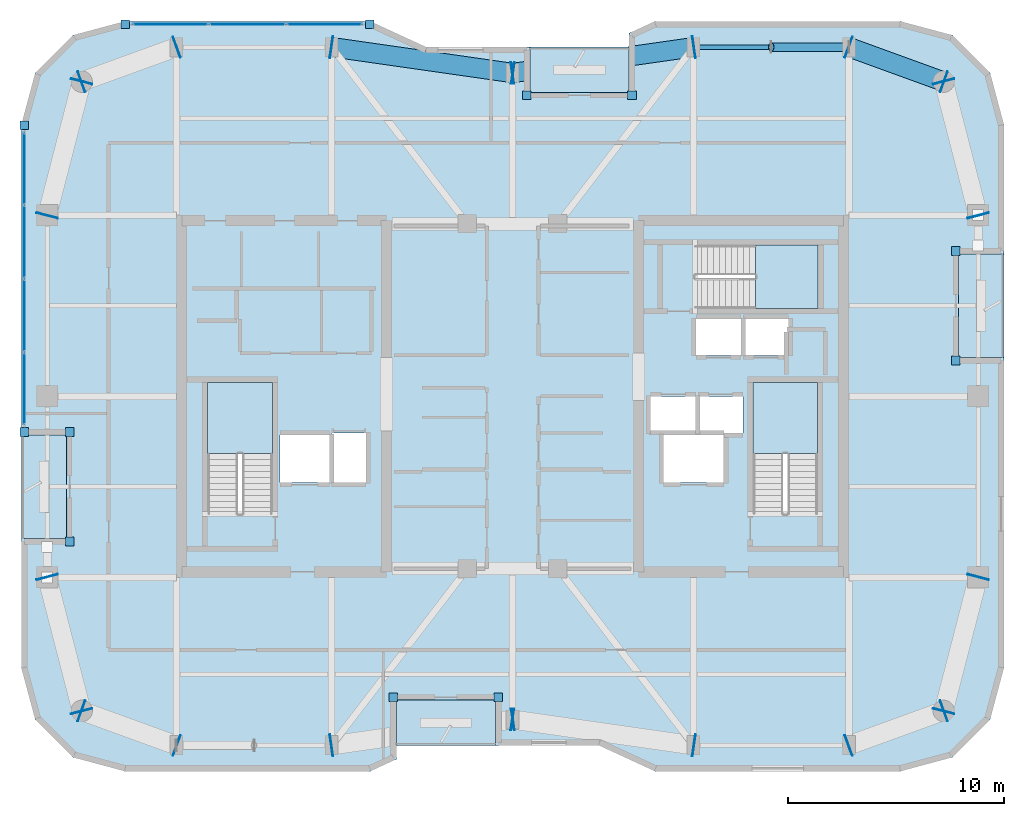
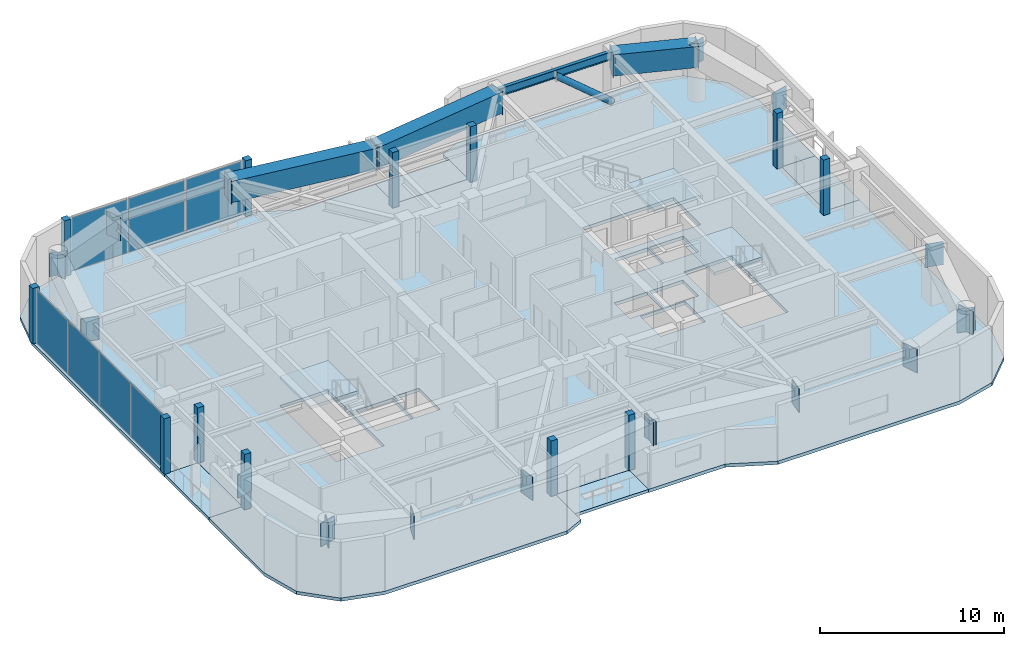
# One storey, part 7 of 15: 43 plates, 8 slabs, 4 beams, 1 member, 5 elements without a shape of their own.
"""IFC4 building model written with IfcOpenShell, lengths in metres."""

from ifc_helpers import new_model, si_unit, direction, frame, origin, origin_2d, place, context, subcontext, project, spatial, polyline, rectangle, hollow_rectangle, hollow_circle, i_section, outline, extrude, material, layer, layer_set, material_profile, profile_set, type_object, element, aggregate, save


model = new_model("IFC4")

# Units and contexts
model_context = context("Model", 3, precision=1e-05, world=origin(), true_north=direction((0.0, 1.0)))
body_context = subcontext(model_context, "Body", "Model", "MODEL_VIEW")
ifc_project = project(units=[si_unit("LENGTHUNIT", "METRE"), si_unit("AREAUNIT", "SQUARE_METRE"), si_unit("VOLUMEUNIT", "CUBIC_METRE"), si_unit("PLANEANGLEUNIT", "RADIAN"), si_unit("MASSUNIT", "GRAM", prefix="KILO")], contexts=[model_context])

# Site, building, storey
site_placement = place(None, origin())
site = spatial("IfcSite", under=ifc_project, at=site_placement, CompositionType="ELEMENT")
building_placement = place(site_placement, origin())
building = spatial("IfcBuilding", under=site, at=building_placement, Name="Kiyonajd Concourse Tower", CompositionType="ELEMENT")
storey_placement = place(building_placement, frame((0.0, 0.0, 290.10009765625)))
storey = spatial("IfcBuildingStorey", under=building, at=storey_placement, Name="L73", CompositionType="ELEMENT", Elevation=290.10009765625)

# Beams
ifc_material_1 = material(Name="Steel ASTM A992 Grade 50", Category="steel")
ifc_material_profile_1 = material_profile(ifc_material_1, i_section(OverallWidth=0.2109375, OverallDepth=0.5390625, WebThickness=0.01171875, FlangeThickness=0.018798828125, at=origin_2d()), Name="W530X109")
ifc_profile_set_1 = profile_set([ifc_material_profile_1], Name="Steel ASTM A992 Grade 50")
beam_type_1 = type_object("IfcBeamType", Name="BM-SPAN-530B", PredefinedType="SPANDREL", material=ifc_profile_set_1)
beam_1_placement = place(storey_placement, frame((63.60009765625, 52.199951171875, 3.410400390625), z_axis=(-1.0, 0.0, 0.0), x_axis=(0.0, -1.0, 0.0)))
element("IfcBeam", 1, at=beam_1_placement, inside=storey, type_object=beam_type_1, Name="L73 Perimeter Bundled Tube Spandrel", PredefinedType="SPANDREL", context=body_context, shape_type="SweptSolid", body=[
    extrude(i_section(OverallWidth=0.2109375, OverallDepth=0.5390625, WebThickness=0.01171875, FlangeThickness=0.018798828125, at=origin_2d()), origin(), (0.0, 0.0, 1.0), 7.2001953125),
])
ifc_material_2 = material(Name="Steel ASTM A572 Grade 50", Category="steel")
ifc_material_profile_2 = material_profile(ifc_material_2, hollow_rectangle(XDim=0.89990234375, YDim=1.39990234375, WallThickness=0.070068359375, at=origin_2d()), Name="BOX-1400x900x70")
ifc_profile_set_2 = profile_set([ifc_material_profile_2], Name="Steel ASTM A572 Grade 50")
beam_type_2 = type_object("IfcBeamType", Name="BM-XFER-1400", PredefinedType="BEAM", material=ifc_profile_set_2)
beam_2_placement = place(storey_placement, frame((68.0, 50.60009765625, 2.97998046875), z_axis=(-0.939801036019, 0.341722127901, 0.0), x_axis=(-0.341722127901, -0.939801036019, 0.0)))
element("IfcBeam", 2, at=beam_2_placement, inside=storey, type_object=beam_type_2, Name="L73 Perimeter Bundled Tube Spandrel", PredefinedType="BEAM", context=body_context, shape_type="SweptSolid", body=[
    extrude(hollow_rectangle(XDim=0.89990234375, YDim=1.39990234375, WallThickness=0.070068359375, at=origin_2d()), origin(), (0.0, 0.0, 1.0), 4.681640625),
])
for number, where, z_axis, x_axis, name in (
    (3, (56.39990234375, 52.199951171875, 2.97998046875), (-0.989950069105, -0.141417328072, 0.0), (0.141417328072, -0.989950069105, 0.0), "L73 Perimeter Bundled Tube Spandrel"),
    (4, (48.0, 51.0, 2.97998046875), (-0.989950069105, 0.141417328072, 0.0), (-0.141417328072, -0.989950069105, 0.0), "L73 Perimeter Bundled Tube Spandrel"),
):
    element("IfcBeam", number, at=place(storey_placement, frame(where, z_axis=z_axis, x_axis=x_axis)), inside=storey, type_object=beam_type_2, Name=name, PredefinedType="BEAM", context=body_context, shape_type="SweptSolid", body=[
        extrude(hollow_rectangle(XDim=0.89990234375, YDim=1.39990234375, WallThickness=0.070068359375, at=origin_2d()), origin(), (0.0, 0.0, 1.0), 8.485107421875),
    ])

# Member
ifc_material_3 = material(Name="Steel ASTM A500 Grade C", Category="steel")
ifc_material_profile_3 = material_profile(ifc_material_3, hollow_circle(Radius=0.202880859375, WallThickness=0.01904296875, at=origin_2d()), Name="CHS-406x19")
ifc_profile_set_3 = profile_set([ifc_material_profile_3], Name="Steel ASTM A500 Grade C")
member_type = type_object("IfcMemberType", Name="MB-PB-HIGH", PredefinedType="BRACE", material=ifc_profile_set_3)
member_placement = place(storey_placement, frame((63.60009765625, 52.199951171875, 0.2998046875), z_axis=(-0.765082043761, 0.0, 0.643932811957), x_axis=(0.0, -1.0, 0.0)))
element("IfcMember", 5, at=member_placement, inside=storey, type_object=member_type, Name="L73 Upper Zone Hollow Tube Brace PBN", PredefinedType="BRACE", context=body_context, shape_type="SweptSolid", body=[
    extrude(hollow_circle(Radius=0.202880859375, WallThickness=0.01904296875, at=origin_2d()), origin(), (0.0, 0.0, 1.0), 4.70556640625),
])

# Plates
ifc_layer_1 = layer(ifc_material_2, 0.031982421875)
ifc_layer_set_1 = layer_set([ifc_layer_1], Name="Steel ASTM A572 Grade 50")
plate_type_1 = type_object("IfcPlateType", Name="PL-CAP-540", PredefinedType="USERDEFINED", material=ifc_layer_set_1)
for number, where, z_axis, x_axis, name in (
    (6, (26.397216796875, 27.610595703125, 2.2099609375), (0.0, 0.0, 1.0), (-0.249873048837, 0.968278606324, 0.0), "L73 Welded Box Girder End Cap"),
    (7, (28.002685546875, 21.389404296875, 2.2099609375), (0.0, 0.0, 1.0), (0.249873048837, -0.968278606324, 0.0), "L73 Welded Box Girder End Cap"),
    (8, (27.98974609375, 21.40380859375, 2.2099609375), (0.0, 0.0, 1.0), (-0.939811951086, 0.341692107891, 0.0), "L73 Welded Box Girder End Cap"),
    (9, (32.410400390625, 19.796142578125, 2.2099609375), (0.0, 0.0, 1.0), (0.939811951086, -0.341692107891, 0.0), "L73 Welded Box Girder End Cap"),
    (10, (39.589111328125, 19.79833984375, 2.2099609375), (0.0, 0.0, 1.0), (-0.989949746297, -0.141419587774, 0.0), "L73 Welded Box Girder End Cap"),
    (11, (48.010986328125, 21.001708984375, 2.2099609375), (0.0, 0.0, 1.0), (0.989949746297, 0.141419587774, 0.0), "L73 Welded Box Girder End Cap"),
    (12, (47.989013671875, 21.001708984375, 2.2099609375), (0.0, 0.0, 1.0), (-0.989949746297, 0.141419587774, 0.0), "L73 Welded Box Girder End Cap"),
    (13, (56.410888671875, 19.79833984375, 2.2099609375), (0.0, 0.0, 1.0), (0.989949746297, -0.141419587774, 0.0), "L73 Welded Box Girder End Cap"),
    (14, (63.589599609375, 19.796142578125, 2.2099609375), (0.0, 0.0, 1.0), (-0.939811951086, -0.341692107891, 0.0), "L73 Welded Box Girder End Cap"),
    (15, (68.01025390625, 21.40380859375, 2.2099609375), (0.0, 0.0, 1.0), (0.939811951086, 0.341692107891, 0.0), "L73 Welded Box Girder End Cap"),
    (16, (67.997314453125, 21.389404296875, 2.2099609375), (0.0, 0.0, 1.0), (-0.249873048837, -0.968278606324, 0.0), "L73 Welded Box Girder End Cap"),
    (17, (69.602783203125, 27.610595703125, 2.2099609375), (0.0, 0.0, 1.0), (0.249873048837, 0.968278606324, 0.0), "L73 Welded Box Girder End Cap"),
    (18, (69.602783203125, 44.389404296875, 2.2099609375), (0.0, 0.0, 1.0), (0.249873048837, -0.968278606324, 0.0), "L73 Welded Box Girder End Cap"),
    (19, (67.997314453125, 50.610595703125, 2.2099609375), (0.0, 0.0, 1.0), (-0.249873048837, 0.968278606324, 0.0), "L73 Welded Box Girder End Cap"),
    (20, (68.01025390625, 50.59619140625, 2.2099609375), (0.0, 0.0, 1.0), (0.939811951086, -0.341692107891, 0.0), "L73 Welded Box Girder End Cap"),
    (21, (63.589599609375, 52.203857421875, 2.2099609375), (0.0, 0.0, 1.0), (-0.939811951086, 0.341692107891, 0.0), "L73 Welded Box Girder End Cap"),
    (22, (56.410888671875, 52.20166015625, 2.2099609375), (0.0, 0.0, 1.0), (0.989949746297, 0.141419587774, 0.0), "L73 Welded Box Girder End Cap"),
    (23, (47.989013671875, 50.998291015625, 2.2099609375), (0.0, 0.0, 1.0), (-0.989949746297, -0.141419587774, 0.0), "L73 Welded Box Girder End Cap"),
    (24, (48.010986328125, 50.998291015625, 2.2099609375), (0.0, 0.0, 1.0), (0.989949746297, -0.141419587774, 0.0), "L73 Welded Box Girder End Cap"),
    (25, (39.589111328125, 52.20166015625, 2.2099609375), (0.0, 0.0, 1.0), (-0.989949746297, 0.141419587774, 0.0), "L73 Welded Box Girder End Cap"),
    (26, (32.410400390625, 52.203857421875, 2.2099609375), (0.0, 0.0, 1.0), (0.939811951086, 0.341692107891, 0.0), "L73 Welded Box Girder End Cap"),
    (27, (27.98974609375, 50.59619140625, 2.2099609375), (0.0, 0.0, 1.0), (-0.939811951086, -0.341692107891, 0.0), "L73 Welded Box Girder End Cap"),
    (28, (28.002685546875, 50.610595703125, 2.2099609375), (0.0, 0.0, 1.0), (0.249873048837, 0.968278606324, 0.0), "L73 Welded Box Girder End Cap"),
    (29, (26.397216796875, 44.389404296875, 2.2099609375), (0.0, 0.0, 1.0), (-0.249873048837, -0.968278606324, 0.0), "L73 Welded Box Girder End Cap"),
):
    element("IfcPlate", number, at=place(storey_placement, frame(where, z_axis=z_axis, x_axis=x_axis)), inside=storey, type_object=plate_type_1, Name=name, ObjectType="CAP PLATE", PredefinedType="USERDEFINED", context=body_context, shape_type="SweptSolid", body=[
        extrude(rectangle(XDim=0.035888671875, YDim=1.02001953125, at=origin_2d()), origin(), (0.0, 0.0, 1.0), 1.5400390625),
    ])

# Curtain wall, plates
ifc_material_4 = material(Name="Thermally Broken Anodised Aluminium", Category="aluminium")
ifc_layer_2 = layer(ifc_material_4, 0.179931640625)
ifc_layer_set_2 = layer_set([ifc_layer_2], Name="Thermally Broken Anodised Aluminium")
curtain_wall_type = type_object("IfcCurtainWallType", Name="CW-SYS-04", PredefinedType="NOTDEFINED", material=ifc_layer_set_2)
curtain_wall_1_placement = place(storey_placement, origin())
curtain_wall_1 = element("IfcCurtainWall", 30, at=curtain_wall_1_placement, inside=storey, type_object=curtain_wall_type, Name="L73 Unitised Curtain Wall CW4", PredefinedType="NOTDEFINED")
ifc_material_5 = material(Name="Double Low-E Insulated Glass", Category="glass")
ifc_layer_3 = layer(ifc_material_5, 0.033935546875)
ifc_layer_set_3 = layer_set([ifc_layer_3], Name="Double Low-E Insulated Glass")
plate_type_2 = type_object("IfcPlateType", Name="PL-CW-VIS34", PredefinedType="CURTAIN_PANEL", material=ifc_layer_set_3)
plate_1_placement = place(storey_placement, frame((25.340087890625, 36.35400390625, 0.06494140625), z_axis=(0.0, 0.0, 1.0), x_axis=(0.0, 1.0, 0.0)))
plate_1 = element("IfcPlate", 31, at=plate_1_placement, type_object=plate_type_2, Name="CW4 panel 1.1", PredefinedType="CURTAIN_PANEL", context=body_context, shape_type="SweptSolid", body=[
    extrude(rectangle(XDim=3.31787109375, YDim=0.033935546875, at=origin_2d()), origin(), (0.0, 0.0, 1.0), 3.550048828125),
])
plate_2_placement = place(storey_placement, frame((25.340087890625, 39.753173828125, 0.06494140625), z_axis=(0.0, 0.0, 1.0), x_axis=(0.0, 1.0, 0.0)))
plate_2 = element("IfcPlate", 32, at=plate_2_placement, type_object=plate_type_2, Name="CW4 panel 2.1", PredefinedType="CURTAIN_PANEL", context=body_context, shape_type="SweptSolid", body=[
    extrude(rectangle(XDim=3.350341796875, YDim=0.033935546875, at=origin_2d()), origin(), (0.0, 0.0, 1.0), 3.550048828125),
])
plate_3_placement = place(storey_placement, frame((25.340087890625, 43.16845703125, 0.06494140625), z_axis=(0.0, 0.0, 1.0), x_axis=(0.0, 1.0, 0.0)))
plate_3 = element("IfcPlate", 33, at=plate_3_placement, type_object=plate_type_2, Name="CW4 panel 3.1", PredefinedType="CURTAIN_PANEL", context=body_context, shape_type="SweptSolid", body=[
    extrude(rectangle(XDim=3.350341796875, YDim=0.033935546875, at=origin_2d()), origin(), (0.0, 0.0, 1.0), 3.550048828125),
])
plate_4_placement = place(storey_placement, frame((25.340087890625, 46.567626953125, 0.06494140625), z_axis=(0.0, 0.0, 1.0), x_axis=(0.0, 1.0, 0.0)))
plate_4 = element("IfcPlate", 34, at=plate_4_placement, type_object=plate_type_2, Name="CW4 panel 4.1", PredefinedType="CURTAIN_PANEL", context=body_context, shape_type="SweptSolid", body=[
    extrude(rectangle(XDim=3.31787109375, YDim=0.033935546875, at=origin_2d()), origin(), (0.0, 0.0, 1.0), 3.550048828125),
])
aggregate(curtain_wall_1, [plate_1, plate_2, plate_3, plate_4])

curtain_wall_2_placement = place(storey_placement, origin())
curtain_wall_2 = element("IfcCurtainWall", 35, at=curtain_wall_2_placement, inside=storey, type_object=curtain_wall_type, Name="L73 Unitised Curtain Wall CW4", PredefinedType="NOTDEFINED")
plate_5_placement = place(storey_placement, frame((32.119873046875, 53.260009765625, 0.06494140625), z_axis=(0.0, 0.0, 1.0), x_axis=(1.0, 0.0, 0.0)))
plate_5 = element("IfcPlate", 36, at=plate_5_placement, type_object=plate_type_2, Name="CW4 panel 1.1", PredefinedType="CURTAIN_PANEL", context=body_context, shape_type="SweptSolid", body=[
    extrude(rectangle(XDim=3.492919921875, YDim=0.033935546875, at=origin_2d()), origin(), (0.0, 0.0, 1.0), 3.550048828125),
])
plate_6_placement = place(storey_placement, frame((35.69384765625, 53.260009765625, 0.06494140625), z_axis=(0.0, 0.0, 1.0), x_axis=(1.0, 0.0, 0.0)))
plate_6 = element("IfcPlate", 37, at=plate_6_placement, type_object=plate_type_2, Name="CW4 panel 2.1", PredefinedType="CURTAIN_PANEL", context=body_context, shape_type="SweptSolid", body=[
    extrude(rectangle(XDim=3.525390625, YDim=0.033935546875, at=origin_2d()), origin(), (0.0, 0.0, 1.0), 3.550048828125),
])
plate_7_placement = place(storey_placement, frame((39.267822265625, 53.260009765625, 0.06494140625), z_axis=(0.0, 0.0, 1.0), x_axis=(1.0, 0.0, 0.0)))
plate_7 = element("IfcPlate", 38, at=plate_7_placement, type_object=plate_type_2, Name="CW4 panel 3.1", PredefinedType="CURTAIN_PANEL", context=body_context, shape_type="SweptSolid", body=[
    extrude(rectangle(XDim=3.492919921875, YDim=0.033935546875, at=origin_2d()), origin(), (0.0, 0.0, 1.0), 3.550048828125),
])
aggregate(curtain_wall_2, [plate_5, plate_6, plate_7])

# Plates
ifc_layer_4 = layer(ifc_material_4, 0.39990234375)
ifc_layer_set_4 = layer_set([ifc_layer_4], Name="Thermally Broken Anodised Aluminium")
plate_type_3 = type_object("IfcPlateType", Name="PL-JMB-400", PredefinedType="USERDEFINED", material=ifc_layer_set_4)
for number, where, z_axis, x_axis, name in (
    (39, (27.43994140625, 29.260009765625, 0.0), (0.0, 0.0, 1.0), (1.0, 0.0, 0.0), "L73 Facade Jamb Closure Plate 01"),
    (40, (27.43994140625, 34.340087890625, 0.0), (0.0, 0.0, 1.0), (1.0, 0.0, 0.0), "L73 Facade Jamb Closure Plate 02"),
    (41, (25.340087890625, 34.340087890625, 0.0), (0.0, 0.0, 1.0), (1.0, 0.0, 0.0), "L73 Facade Jamb Closure Plate 03"),
    (42, (25.340087890625, 48.58154296875, 0.0), (0.0, 0.0, 1.0), (1.0, 0.0, 0.0), "L73 Facade Jamb Closure Plate 04"),
    (43, (30.018310546875, 53.260009765625, 0.0), (0.0, 0.0, 1.0), (1.0, 0.0, 0.0), "L73 Facade Jamb Closure Plate 05"),
    (44, (41.369384765625, 53.260009765625, 0.0), (0.0, 0.0, 1.0), (1.0, 0.0, 0.0), "L73 Facade Jamb Closure Plate 06"),
    (45, (48.659912109375, 49.9599609375, 0.0), (0.0, 0.0, 1.0), (1.0, 0.0, 0.0), "L73 Facade Jamb Closure Plate 07"),
    (46, (53.5400390625, 49.9599609375, 0.0), (0.0, 0.0, 1.0), (1.0, 0.0, 0.0), "L73 Facade Jamb Closure Plate 08"),
    (47, (68.56005859375, 42.739990234375, 0.0), (0.0, 0.0, 1.0), (1.0, 0.0, 0.0), "L73 Facade Jamb Closure Plate 09"),
    (48, (68.56005859375, 37.659912109375, 0.0), (0.0, 0.0, 1.0), (1.0, 0.0, 0.0), "L73 Facade Jamb Closure Plate 10"),
    (49, (47.340087890625, 22.0400390625, 0.0), (0.0, 0.0, 1.0), (1.0, 0.0, 0.0), "L73 Facade Jamb Closure Plate 11"),
    (50, (42.4599609375, 22.0400390625, 0.0), (0.0, 0.0, 1.0), (1.0, 0.0, 0.0), "L73 Facade Jamb Closure Plate 12"),
):
    element("IfcPlate", number, at=place(storey_placement, frame(where, z_axis=z_axis, x_axis=x_axis)), inside=storey, type_object=plate_type_3, Name=name, ObjectType="JAMB PLATE", PredefinedType="USERDEFINED", context=body_context, shape_type="SweptSolid", body=[
        extrude(rectangle(XDim=0.39990234375, YDim=0.39990234375, at=origin_2d()), origin(), (0.0, 0.0, 1.0), 3.679931640625),
    ])

# Stair, slab
ifc_material_6 = material(Name="Concrete C40/50", Category="concrete")
stair_type = type_object("IfcStairType", Name="ST-DLG-22R", PredefinedType="HALF_TURN_STAIR", material=ifc_material_6)
stair_1_placement = place(storey_placement, origin())
stair_1 = element("IfcStair", 51, at=stair_1_placement, inside=storey, type_object=stair_type, Name="L73 Protected Exit Stair ST1", PredefinedType="HALF_TURN_STAIR")
ifc_layer_5 = layer(ifc_material_6, 0.199951171875)
ifc_layer_set_5 = layer_set([ifc_layer_5], Name="Concrete C40/50")
slab_type_1 = type_object("IfcSlabType", Name="SL-LND-200", PredefinedType="LANDING", material=ifc_layer_set_5)
slab_1_placement = place(storey_placement, frame((0.0, 0.0, 1.75)))
slab_1 = element("IfcSlab", 52, at=slab_1_placement, type_object=slab_type_1, Name="ST1 landing 1", PredefinedType="LANDING", context=body_context, shape_type="SweptSolid", body=[
    extrude(outline(polyline([(36.85009765625, 33.35009765625), (36.85009765625, 36.64990234375), (33.85009765625, 36.64990234375), (33.85009765625, 33.35009765625), (36.85009765625, 33.35009765625)])), origin(), (0.0, 0.0, 1.0), 0.199951171875),
])
aggregate(stair_1, [slab_1])

stair_2_placement = place(storey_placement, origin())
stair_2 = element("IfcStair", 53, at=stair_2_placement, inside=storey, type_object=stair_type, Name="L73 Protected Exit Stair ST2", PredefinedType="HALF_TURN_STAIR")
slab_2_placement = place(storey_placement, frame((0.0, 0.0, 1.75)))
slab_2 = element("IfcSlab", 54, at=slab_2_placement, type_object=slab_type_1, Name="ST2 landing 1", PredefinedType="LANDING", context=body_context, shape_type="SweptSolid", body=[
    extrude(outline(polyline([(62.14990234375, 33.35009765625), (62.14990234375, 36.64990234375), (59.14990234375, 36.64990234375), (59.14990234375, 33.35009765625), (62.14990234375, 33.35009765625)])), origin(), (0.0, 0.0, 1.0), 0.199951171875),
])
aggregate(stair_2, [slab_2])

stair_3_placement = place(storey_placement, origin())
stair_3 = element("IfcStair", 55, at=stair_3_placement, inside=storey, type_object=stair_type, Name="L73 Protected Exit Stair ST3", PredefinedType="HALF_TURN_STAIR")
slab_3_placement = place(storey_placement, frame((0.0, 0.0, 1.75)))
slab_3 = element("IfcSlab", 56, at=slab_3_placement, type_object=slab_type_1, Name="ST3 landing 1", PredefinedType="LANDING", context=body_context, shape_type="SweptSolid", body=[
    extrude(outline(polyline([(59.280029296875, 40.080078125), (62.179931640625, 40.080078125), (62.179931640625, 43.02001953125), (59.280029296875, 43.02001953125), (59.280029296875, 40.080078125)])), origin(), (0.0, 0.0, 1.0), 0.199951171875),
])
aggregate(stair_3, [slab_3])

# Slabs
ifc_material_7 = material(Name="Precast concrete C50/60", Category="concrete")
ifc_layer_6 = layer(ifc_material_7, 0.199951171875)
ifc_layer_set_6 = layer_set([ifc_layer_6], Name="Precast concrete C50/60")
slab_type_2 = type_object("IfcSlabType", Name="SL-LOG-200", PredefinedType="FLOOR", material=ifc_layer_set_6)
slab_4_placement = place(storey_placement, frame((0.0, 0.0, -0.2001953125)))
element("IfcSlab", 57, at=slab_4_placement, inside=storey, type_object=slab_type_2, Name="L73 Recessed Engawa Loggia Terrace Slab LOG-S", PredefinedType="FLOOR", context=body_context, shape_type="SweptSolid", body=[
    extrude(outline(polyline([(42.60009765625, 19.800048828125), (47.199951171875, 19.800048828125), (47.199951171875, 21.89990234375), (42.60009765625, 21.89990234375), (42.60009765625, 19.800048828125)])), origin(), (0.0, 0.0, 1.0), 0.2001953125),
])
slab_5_placement = place(storey_placement, frame((0.0, 0.0, -0.2001953125)))
element("IfcSlab", 58, at=slab_5_placement, inside=storey, type_object=slab_type_2, Name="L73 Recessed Engawa Loggia Terrace Slab LOG-N", PredefinedType="FLOOR", context=body_context, shape_type="SweptSolid", body=[
    extrude(outline(polyline([(48.800048828125, 50.10009765625), (53.39990234375, 50.10009765625), (53.39990234375, 52.199951171875), (48.800048828125, 52.199951171875), (48.800048828125, 50.10009765625)])), origin(), (0.0, 0.0, 1.0), 0.2001953125),
])
slab_6_placement = place(storey_placement, frame((0.0, 0.0, -0.2001953125)))
element("IfcSlab", 59, at=slab_6_placement, inside=storey, type_object=slab_type_2, Name="L73 Recessed Engawa Loggia Terrace Slab LOG-W", PredefinedType="FLOOR", context=body_context, shape_type="SweptSolid", body=[
    extrude(outline(polyline([(25.199951171875, 29.39990234375), (27.300048828125, 29.39990234375), (27.300048828125, 34.199951171875), (25.199951171875, 34.199951171875), (25.199951171875, 29.39990234375)])), origin(), (0.0, 0.0, 1.0), 0.2001953125),
])
slab_7_placement = place(storey_placement, frame((0.0, 0.0, -0.2001953125)))
element("IfcSlab", 60, at=slab_7_placement, inside=storey, type_object=slab_type_2, Name="L73 Recessed Engawa Loggia Terrace Slab LOG-E", PredefinedType="FLOOR", context=body_context, shape_type="SweptSolid", body=[
    extrude(outline(polyline([(68.699951171875, 37.800048828125), (70.800048828125, 37.800048828125), (70.800048828125, 42.60009765625), (68.699951171875, 42.60009765625), (68.699951171875, 37.800048828125)])), origin(), (0.0, 0.0, 1.0), 0.2001953125),
])
ifc_layer_7 = layer(ifc_material_6, 0.219970703125)
ifc_layer_set_7 = layer_set([ifc_layer_7], Name="Concrete C40/50")
slab_type_3 = type_object("IfcSlabType", Name="SL-TWR-220", PredefinedType="FLOOR", material=ifc_layer_set_7)
slab_8_placement = place(storey_placement, frame((0.0, 0.0, -0.22021484375)))
element("IfcSlab", 61, at=slab_8_placement, inside=storey, type_object=slab_type_3, Name="L73 Tower Conditioned Floor Slab", PredefinedType="FLOOR", context=body_context, shape_type="SweptSolid", body=[
    extrude(outline(polyline([(25.843017578125, 21.0), (25.199951171875, 23.39990234375), (25.199951171875, 29.39990234375), (27.300048828125, 29.39990234375), (27.300048828125, 34.199951171875), (25.199951171875, 34.199951171875), (25.199951171875, 48.60009765625), (25.843017578125, 51.0), (27.60009765625, 52.757080078125), (30.0, 53.39990234375), (41.39990234375, 53.39990234375), (44.0, 52.199951171875), (48.800048828125, 52.199951171875), (48.800048828125, 50.10009765625), (53.39990234375, 50.10009765625), (53.39990234375, 52.845947265625), (54.60009765625, 53.39990234375), (66.0, 53.39990234375), (68.39990234375, 52.757080078125), (70.156982421875, 51.0), (70.800048828125, 48.60009765625), (70.800048828125, 42.60009765625), (68.699951171875, 42.60009765625), (68.699951171875, 37.800048828125), (70.800048828125, 37.800048828125), (70.800048828125, 23.39990234375), (70.156982421875, 21.0), (68.39990234375, 19.242919921875), (66.0, 18.60009765625), (54.60009765625, 18.60009765625), (52.0, 19.800048828125), (47.199951171875, 19.800048828125), (47.199951171875, 21.89990234375), (42.60009765625, 21.89990234375), (42.60009765625, 19.154052734375), (41.39990234375, 18.60009765625), (30.0, 18.60009765625), (27.60009765625, 19.242919921875), (25.843017578125, 21.0)]), holes=[polyline([(39.5, 32.0), (37.199951171875, 32.0), (37.199951171875, 34.199951171875), (39.5, 34.199951171875), (39.5, 32.0)]), polyline([(57.800048828125, 32.0), (55.0, 32.0), (55.0, 34.199951171875), (57.800048828125, 34.199951171875), (57.800048828125, 32.0)]), polyline([(41.199951171875, 32.0), (39.60009765625, 32.0), (39.60009765625, 34.300048828125), (41.199951171875, 34.300048828125), (41.199951171875, 32.0)]), polyline([(33.85009765625, 30.550048828125), (33.85009765625, 36.64990234375), (36.85009765625, 36.64990234375), (36.85009765625, 30.550048828125), (33.85009765625, 30.550048828125)]), polyline([(59.14990234375, 30.550048828125), (59.14990234375, 36.64990234375), (62.14990234375, 36.64990234375), (62.14990234375, 30.550048828125), (59.14990234375, 30.550048828125)]), polyline([(56.5, 34.300048828125), (54.39990234375, 34.300048828125), (54.39990234375, 36.0), (56.5, 36.0), (56.5, 34.300048828125)]), polyline([(58.699951171875, 34.300048828125), (56.60009765625, 34.300048828125), (56.60009765625, 36.0), (58.699951171875, 36.0), (58.699951171875, 34.300048828125)]), polyline([(58.60009765625, 37.89990234375), (56.5, 37.89990234375), (56.5, 39.60009765625), (58.60009765625, 39.60009765625), (58.60009765625, 37.89990234375)]), polyline([(58.699951171875, 37.89990234375), (58.699951171875, 39.60009765625), (60.800048828125, 39.60009765625), (60.800048828125, 37.89990234375), (58.699951171875, 37.89990234375)]), polyline([(56.47998046875, 43.02001953125), (62.179931640625, 43.02001953125), (62.179931640625, 40.080078125), (56.47998046875, 40.080078125), (56.47998046875, 43.02001953125)])]), origin(), (0.0, 0.0, 1.0), 0.22021484375),
])

save(model, "model.ifc")
